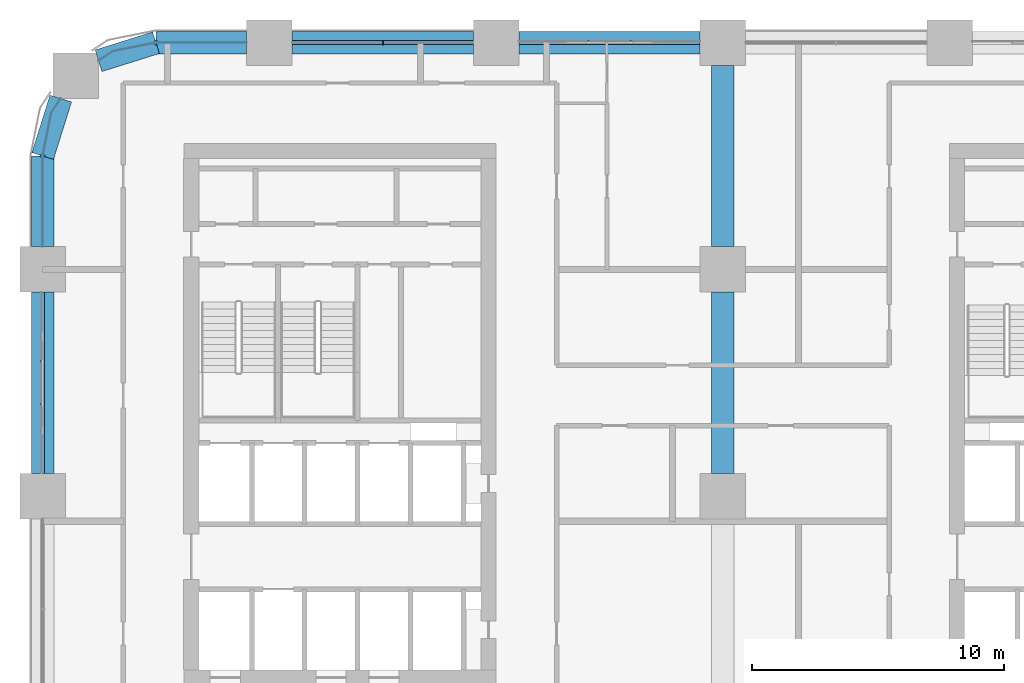
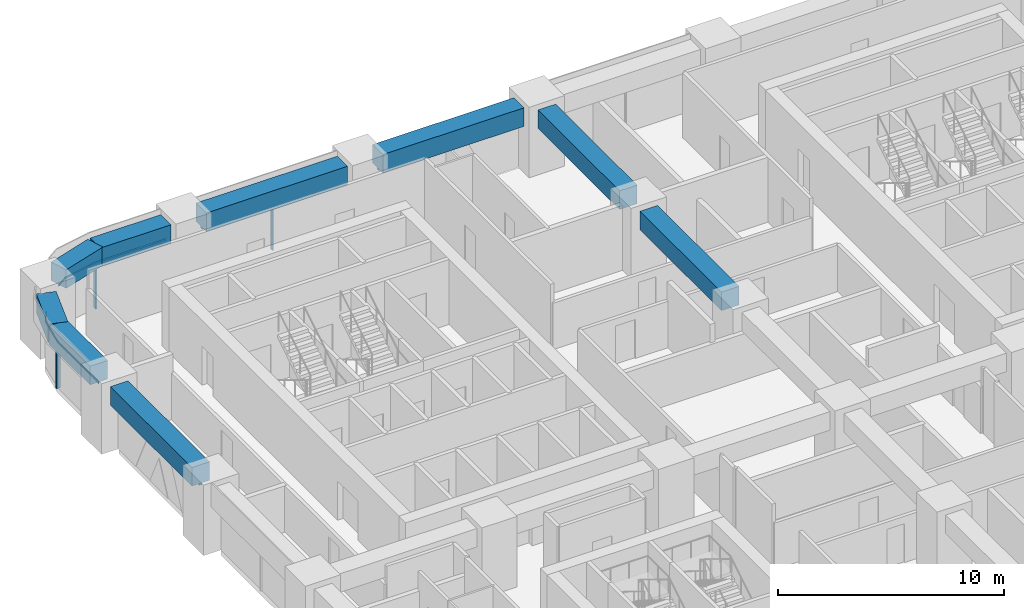
# One storey, part 7 of 21: 9 beams, 8 members, 5 elements without a shape of their own.
"""IFC4 building model written with IfcOpenShell, lengths in metres."""

from ifc_helpers import new_model, si_unit, direction, frame, origin, origin_2d, place, context, subcontext, project, spatial, polyline, rectangle, outline, extrude, material, material_profile, profile_set, type_object, element, aggregate, save


model = new_model("IFC4")

# Units and contexts
model_context = context("Model", 3, precision=1e-05, world=origin(), true_north=direction((0.0, 1.0)))
body_context = subcontext(model_context, "Body", "Model", "MODEL_VIEW")
ifc_project = project(units=[si_unit("LENGTHUNIT", "METRE"), si_unit("AREAUNIT", "SQUARE_METRE"), si_unit("VOLUMEUNIT", "CUBIC_METRE"), si_unit("PLANEANGLEUNIT", "RADIAN"), si_unit("MASSUNIT", "GRAM", prefix="KILO")], contexts=[model_context])

# Site, building, storey
site_placement = place(None, origin())
site = spatial("IfcSite", under=ifc_project, at=site_placement, CompositionType="ELEMENT")
building_placement = place(site_placement, origin())
building = spatial("IfcBuilding", under=site, at=building_placement, Name="Tessera Arch", CompositionType="ELEMENT")
storey_placement = place(building_placement, frame((0.0, 0.0, 50.0)))
storey = spatial("IfcBuildingStorey", under=building, at=storey_placement, Name="L10", CompositionType="ELEMENT", Elevation=50.0)

# Curtain wall, members
ifc_material_1 = material(Name="CW1 curtain wall")
curtain_wall_type_1 = type_object("IfcCurtainWallType", Name="CW1 curtain wall", PredefinedType="NOTDEFINED", material=ifc_material_1)
curtain_wall_1_placement = place(storey_placement, origin())
curtain_wall_1 = element("IfcCurtainWall", 1, at=curtain_wall_1_placement, inside=storey, type_object=curtain_wall_type_1, Name="CW1 curtain wall N54.0/4 L10", PredefinedType="NOTDEFINED")
ifc_material_2 = material(Name="Anodised aluminium pale metal", Category="aluminium")
ifc_material_profile_1 = material_profile(ifc_material_2, rectangle(XDim=0.159912109375, YDim=0.06005859375, at=origin_2d()), Name="AL 60x160")
ifc_profile_set_1 = profile_set([ifc_material_profile_1], Name="Anodised aluminium pale metal")
member_type_1 = type_object("IfcMemberType", Name="CW1 mullion", PredefinedType="MULLION", material=ifc_profile_set_1)
member_1_placement = place(storey_placement, frame((13.5, 54.0, 0.0), z_axis=(0.0, 0.0, 1.0), x_axis=(0.0, -1.0, 0.0)))
member_1 = element("IfcMember", 2, at=member_1_placement, type_object=member_type_1, Name="CW1 mullion N54.0/4 1", PredefinedType="MULLION", context=body_context, shape_type="SweptSolid", body=[
    extrude(rectangle(XDim=0.159912109375, YDim=0.06005859375, at=origin_2d()), origin(), (0.0, 0.0, 1.0), 2.39990234375),
])
ifc_material_3 = material(Name="Anodised aluminium pale metal", Category="aluminium")
ifc_material_profile_2 = material_profile(ifc_material_3, rectangle(XDim=0.159912109375, YDim=0.10009765625, at=origin_2d()), Name="AL 160x100")
ifc_profile_set_2 = profile_set([ifc_material_profile_2], Name="Anodised aluminium pale metal")
member_type_2 = type_object("IfcMemberType", Name="CW1 transom", PredefinedType="USERDEFINED", material=ifc_profile_set_2)
member_2_placement = place(storey_placement, frame((17.10009765625, 54.0, 2.449951171875), z_axis=(-1.0, 0.0, 0.0), x_axis=(0.0, -1.0, 0.0)))
member_2 = element("IfcMember", 3, at=member_2_placement, type_object=member_type_2, Name="CW1 transom N54.0/4 1.1", ObjectType="TRANSOM", PredefinedType="USERDEFINED", context=body_context, shape_type="SweptSolid", body=[
    extrude(rectangle(XDim=0.159912109375, YDim=0.10009765625, at=origin_2d()), origin(), (0.0, 0.0, 1.0), 7.2001953125),
])
aggregate(curtain_wall_1, [member_1, member_2])

# Curtain wall, member
ifc_material_4 = material(Name="CW2 curtain wall")
curtain_wall_type_2 = type_object("IfcCurtainWallType", Name="CW2 curtain wall", PredefinedType="NOTDEFINED", material=ifc_material_4)
curtain_wall_2_placement = place(storey_placement, origin())
curtain_wall_2 = element("IfcCurtainWall", 4, at=curtain_wall_2_placement, inside=storey, type_object=curtain_wall_type_2, Name="CW2 curtain wall N54.0/5 L10", PredefinedType="NOTDEFINED")
ifc_material_5 = material(Name="Anodised aluminium pale metal", Category="aluminium")
ifc_material_profile_3 = material_profile(ifc_material_5, rectangle(XDim=0.199951171875, YDim=0.080078125, at=origin_2d()), Name="AL 80x200")
ifc_profile_set_3 = profile_set([ifc_material_profile_3], Name="Anodised aluminium pale metal")
member_type_3 = type_object("IfcMemberType", Name="CW2 mullion", PredefinedType="MULLION", material=ifc_profile_set_3)
member_3_placement = place(storey_placement, frame((4.5, 54.0, 0.0), z_axis=(0.0, 0.0, 1.0), x_axis=(0.0, -1.0, 0.0)))
member_3 = element("IfcMember", 5, at=member_3_placement, type_object=member_type_3, Name="CW2 mullion N54.0/5 1", PredefinedType="MULLION", context=body_context, shape_type="SweptSolid", body=[
    extrude(rectangle(XDim=0.199951171875, YDim=0.080078125, at=origin_2d()), origin(), (0.0, 0.0, 1.0), 2.39990234375),
])

curtain_wall_3_placement = place(storey_placement, origin())
curtain_wall_3 = element("IfcCurtainWall", 6, at=curtain_wall_3_placement, inside=storey, type_object=curtain_wall_type_2, Name="CW2 curtain wall W0.0/0 L10", PredefinedType="NOTDEFINED")
member_4_placement = place(storey_placement, frame((0.0, 49.5, 0.0), z_axis=(0.0, 0.0, 1.0), x_axis=(1.0, 0.0, 0.0)))
member_4 = element("IfcMember", 7, at=member_4_placement, type_object=member_type_3, Name="CW2 mullion W0.0/0 1", PredefinedType="MULLION", context=body_context, shape_type="SweptSolid", body=[
    extrude(rectangle(XDim=0.199951171875, YDim=0.080078125, at=origin_2d()), origin(), (0.0, 0.0, 1.0), 2.39990234375),
])

# Member
ifc_material_6 = material(Name="Anodised aluminium pale metal", Category="aluminium")
ifc_material_profile_4 = material_profile(ifc_material_6, rectangle(XDim=0.199951171875, YDim=0.10009765625, at=origin_2d()), Name="AL 200x100")
ifc_profile_set_4 = profile_set([ifc_material_profile_4], Name="Anodised aluminium pale metal")
member_type_4 = type_object("IfcMemberType", Name="CW2 transom", PredefinedType="USERDEFINED", material=ifc_profile_set_4)
member_5_placement = place(storey_placement, frame((0.0, 0.0, 2.39990234375)))
member_5 = element("IfcMember", 8, at=member_5_placement, type_object=member_type_4, Name="CW2 transom N54.0/5 1", ObjectType="TRANSOM", PredefinedType="USERDEFINED", context=body_context, shape_type="SweptSolid", body=[
    extrude(outline(polyline([(4.5009765625, 53.989990234375), (8.10009765625, 53.989990234375), (8.10009765625, 54.010009765625), (4.4990234375, 54.010009765625), (2.77392578125, 53.6669921875), (2.21240234375, 53.29150390625), (2.2236328125, 53.27490234375), (2.78173828125, 53.648193359375), (4.5009765625, 53.989990234375)])), origin(), (0.0, 0.0, 1.0), 0.10009765625),
])

aggregate(curtain_wall_2, [member_3, member_5])

member_6_placement = place(storey_placement, frame((0.0, 0.0, 2.39990234375)))
member_6 = element("IfcMember", 9, at=member_6_placement, type_object=member_type_4, Name="CW2 transom W0.0/0 1", ObjectType="TRANSOM", PredefinedType="USERDEFINED", context=body_context, shape_type="SweptSolid", body=[
    extrude(outline(polyline([(0.351806640625, 51.21826171875), (0.72509765625, 51.7763671875), (0.70849609375, 51.78759765625), (0.3330078125, 51.22607421875), (-0.010009765625, 49.5009765625), (-0.010009765625, 45.89990234375), (0.010009765625, 45.89990234375), (0.010009765625, 49.4990234375), (0.351806640625, 51.21826171875)])), origin(), (0.0, 0.0, 1.0), 0.10009765625),
])

aggregate(curtain_wall_3, [member_4, member_6])

# Curtain wall, member
ifc_material_7 = material(Name="CW3 curtain wall")
curtain_wall_type_3 = type_object("IfcCurtainWallType", Name="CW3 curtain wall", PredefinedType="NOTDEFINED", material=ifc_material_7)
curtain_wall_4_placement = place(storey_placement, origin())
curtain_wall_4 = element("IfcCurtainWall", 10, at=curtain_wall_4_placement, inside=storey, type_object=curtain_wall_type_3, Name="CW3 curtain wall N54.0/3 L10", PredefinedType="NOTDEFINED")
ifc_material_8 = material(Name="Anodised aluminium pale metal", Category="aluminium")
ifc_material_profile_5 = material_profile(ifc_material_8, rectangle(XDim=0.139892578125, YDim=0.10009765625, at=origin_2d()), Name="AL 140x100")
ifc_profile_set_5 = profile_set([ifc_material_profile_5], Name="Anodised aluminium pale metal")
member_type_5 = type_object("IfcMemberType", Name="CW3 transom", PredefinedType="USERDEFINED", material=ifc_profile_set_5)
member_7_placement = place(storey_placement, frame((26.10009765625, 54.0, 2.449951171875), z_axis=(-1.0, 0.0, 0.0), x_axis=(0.0, -1.0, 0.0)))
member_7 = element("IfcMember", 11, at=member_7_placement, type_object=member_type_5, Name="CW3 transom N54.0/3 1.1", ObjectType="TRANSOM", PredefinedType="USERDEFINED", context=body_context, shape_type="SweptSolid", body=[
    extrude(rectangle(XDim=0.139892578125, YDim=0.10009765625, at=origin_2d()), origin(), (0.0, 0.0, 1.0), 7.2001953125),
])
aggregate(curtain_wall_4, [member_7])

curtain_wall_5_placement = place(storey_placement, origin())
curtain_wall_5 = element("IfcCurtainWall", 12, at=curtain_wall_5_placement, inside=storey, type_object=curtain_wall_type_3, Name="CW3 curtain wall W0.0/1 L10", PredefinedType="NOTDEFINED")
member_8_placement = place(storey_placement, frame((0.0, 44.10009765625, 2.449951171875), z_axis=(0.0, -1.0, 0.0), x_axis=(1.0, 0.0, 0.0)))
member_8 = element("IfcMember", 13, at=member_8_placement, type_object=member_type_5, Name="CW3 transom W0.0/1 1.1", ObjectType="TRANSOM", PredefinedType="USERDEFINED", context=body_context, shape_type="SweptSolid", body=[
    extrude(rectangle(XDim=0.139892578125, YDim=0.10009765625, at=origin_2d()), origin(), (0.0, 0.0, 1.0), 7.2001953125),
])
aggregate(curtain_wall_5, [member_8])

# Beams
ifc_material_9 = material(Name="Concrete C80/95", Category="concrete")
ifc_material_profile_6 = material_profile(ifc_material_9, rectangle(XDim=0.89990234375, YDim=1.0, at=origin_2d()), Name="RC spandrel beam 900 x 1000 Concrete C80/95")
ifc_profile_set_6 = profile_set([ifc_material_profile_6], Name="Concrete C80/95")
beam_type = type_object("IfcBeamType", Name="RC spandrel beam 900 x 1000 Concrete C80/95", PredefinedType="BEAM", material=ifc_profile_set_6)
for number, where, z_axis, x_axis, name in (
    (14, (26.10009765625, 54.0, 3.0), (-1.0, 0.0, 0.0), (0.0, -1.0, 0.0), "Spandrel beam L10 N54.0/3"),
    (15, (17.10009765625, 54.0, 3.0), (-1.0, 0.0, 0.0), (0.0, -1.0, 0.0), "Spandrel beam L10 N54.0/4"),
):
    element("IfcBeam", number, at=place(storey_placement, frame(where, z_axis=z_axis, x_axis=x_axis)), inside=storey, type_object=beam_type, Name=name, PredefinedType="BEAM", context=body_context, shape_type="SweptSolid", body=[
        extrude(rectangle(XDim=0.89990234375, YDim=1.0, at=origin_2d()), origin(), (0.0, 0.0, 1.0), 7.2001953125),
    ])
beam_1_placement = place(storey_placement, frame((8.10009765625, 54.0, 3.0), z_axis=(-1.0, 0.0, 0.0), x_axis=(0.0, -1.0, 0.0)))
element("IfcBeam", 16, at=beam_1_placement, inside=storey, type_object=beam_type, Name="Spandrel beam L10 N54.0/5.1", PredefinedType="BEAM", context=body_context, shape_type="SweptSolid", body=[
    extrude(rectangle(XDim=0.89990234375, YDim=1.0, at=origin_2d()), origin(), (0.0, 0.0, 1.0), 3.60009765625),
])
for number, where, z_axis, x_axis, name in (
    (17, (4.5, 54.0, 3.0), (-0.954041251279, -0.299675309057, 0.0), (0.299675309057, -0.954041251279, 0.0), "Spandrel beam L10 N54.0/5.2"),
    (18, (0.716796875, 51.781982421875, 3.0), (-0.299675309057, -0.954041251279, 0.0), (0.954041251279, -0.299675309057, 0.0), "Spandrel beam L10 W0.0/0.1"),
):
    element("IfcBeam", number, at=place(storey_placement, frame(where, z_axis=z_axis, x_axis=x_axis)), inside=storey, type_object=beam_type, Name=name, PredefinedType="BEAM", context=body_context, shape_type="SweptSolid", body=[
        extrude(rectangle(XDim=0.89990234375, YDim=1.0, at=origin_2d()), origin(), (0.0, 0.0, 1.0), 2.391845703125),
    ])
beam_2_placement = place(storey_placement, frame((0.0, 49.5, 3.0), z_axis=(0.0, -1.0, 0.0), x_axis=(1.0, 0.0, 0.0)))
element("IfcBeam", 19, at=beam_2_placement, inside=storey, type_object=beam_type, Name="Spandrel beam L10 W0.0/0.2", PredefinedType="BEAM", context=body_context, shape_type="SweptSolid", body=[
    extrude(rectangle(XDim=0.89990234375, YDim=1.0, at=origin_2d()), origin(), (0.0, 0.0, 1.0), 3.60009765625),
])
for number, where, z_axis, x_axis, name in (
    (20, (0.0, 44.10009765625, 3.0), (0.0, -1.0, 0.0), (1.0, 0.0, 0.0), "Spandrel beam L10 W0.0/1"),
    (21, (27.0, 36.89990234375, 3.0), (0.0, 1.0, 0.0), (-1.0, 0.0, 0.0), "Interface beam L10 I0C4E-C4F"),
    (22, (27.0, 45.89990234375, 3.0), (0.0, 1.0, 0.0), (-1.0, 0.0, 0.0), "Interface beam L10 I0C4F-C4G"),
):
    element("IfcBeam", number, at=place(storey_placement, frame(where, z_axis=z_axis, x_axis=x_axis)), inside=storey, type_object=beam_type, Name=name, PredefinedType="BEAM", context=body_context, shape_type="SweptSolid", body=[
        extrude(rectangle(XDim=0.89990234375, YDim=1.0, at=origin_2d()), origin(), (0.0, 0.0, 1.0), 7.2001953125),
    ])

save(model, "model.ifc")
